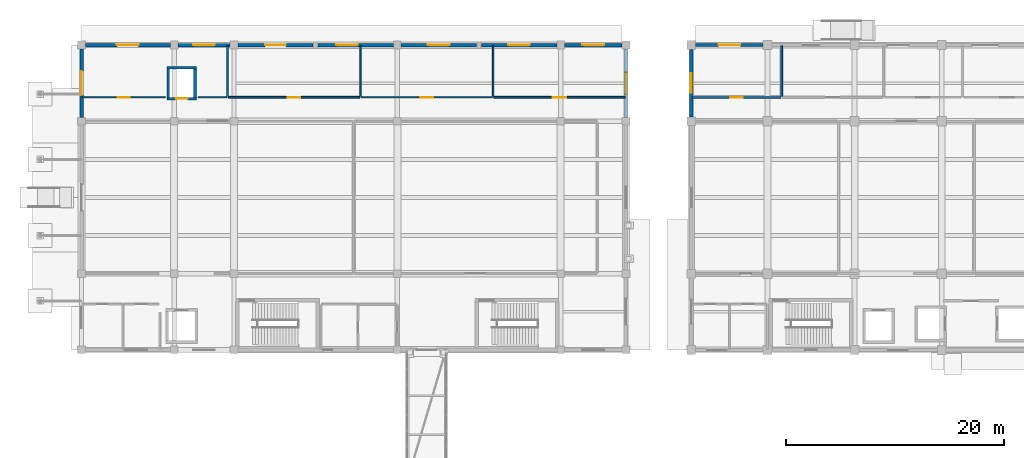
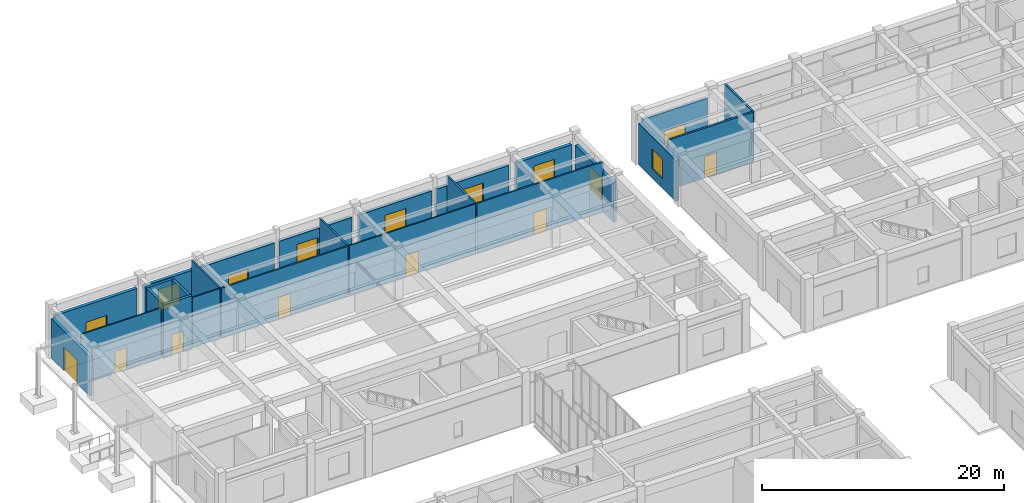
# One storey, part 25 of 40: 25 walls, 10 doors, 7 windows, 17 openings.
"""IFC4 building model written with IfcOpenShell, lengths in metres."""

from ifc_helpers import new_model, si_unit, direction, frame, frame_2d, origin, place, context, subcontext, project, spatial, rectangle, extrude, material, layer, layer_set, type_object, element, fill, save


model = new_model("IFC4")

# Units and contexts
model_context = context("Model", 3, precision=1e-05, world=origin(), true_north=direction((0.0, 1.0)))
body_context = subcontext(model_context, "Body", "Model", "MODEL_VIEW")
ifc_project = project(units=[si_unit("LENGTHUNIT", "METRE"), si_unit("AREAUNIT", "SQUARE_METRE"), si_unit("VOLUMEUNIT", "CUBIC_METRE"), si_unit("PLANEANGLEUNIT", "RADIAN"), si_unit("MASSUNIT", "GRAM", prefix="KILO")], contexts=[model_context])

# Site, building, storey
site_placement = place(None, origin())
site = spatial("IfcSite", under=ifc_project, at=site_placement, CompositionType="ELEMENT")
building_placement = place(site_placement, origin())
building = spatial("IfcBuilding", under=site, at=building_placement, Name="Naurynzar Civic Courthouse", CompositionType="ELEMENT")
storey_placement = place(building_placement, origin())
storey = spatial("IfcBuildingStorey", under=building, at=storey_placement, Name="L01", CompositionType="ELEMENT", Elevation=0.0)

# Wall, opening, window
ifc_material_1 = material(Name="Precast concrete C40/50", Category="concrete")
ifc_layer_1 = layer(ifc_material_1, 0.300048828125)
ifc_layer_set_1 = layer_set([ifc_layer_1], Name="WL-EXT-300")
wall_type_1 = type_object("IfcWallType", Name="WL-EXT-300", PredefinedType="SOLIDWALL", material=ifc_layer_set_1)
wall_1_placement = place(storey_placement, frame((62.0, 65.39990234375, 0.0), z_axis=(0.0, 0.0, 1.0), x_axis=(0.0, 1.0, 0.0)))
wall_1 = element("IfcWall", 1, at=wall_1_placement, inside=storey, type_object=wall_type_1, Name="V2 exterior wall west L01.3.1", PredefinedType="SOLIDWALL", context=body_context, shape_type="SweptSolid", body=[
    extrude(rectangle(XDim=6.2001953125, YDim=0.300048828125, at=frame_2d((3.10009765625, 0.0))), origin(), (0.0, 0.0, 1.0), 4.1298828125),
])
opening_1_placement = place(wall_1_placement, frame((2.199951171875, 0.0, 0.89990234375)))
opening_1 = element("IfcOpeningElement", 2, at=opening_1_placement, cuts=wall_1, Name="Opening WN-03", PredefinedType="OPENING", context=body_context, shape_type="SweptSolid", body=[
    extrude(rectangle(XDim=1.800048828125, YDim=2.0, at=frame_2d((0.89990234375, 1.0))), frame((0.0, 0.159912109375, 0.0), z_axis=(0.0, -1.0, 0.0), x_axis=(1.0, 0.0, 0.0)), (0.0, 0.0, 1.0), 0.320068359375),
])
ifc_material_2 = material(Name="Tempered Laminated Low-E Glass", Category="glass")
window_type_1 = type_object("IfcWindowType", Name="WIN-COURT-1800x2000", PartitioningType="DOUBLE_PANEL_VERTICAL", PredefinedType="WINDOW", material=ifc_material_2)
window_1_placement = place(opening_1_placement, origin())
window_1 = element("IfcWindow", 3, at=window_1_placement, inside=storey, type_object=window_type_1, Name="V2 window 40 L01", OverallHeight=2.0, OverallWidth=1.800048828125, PartitioningType="SINGLE_PANEL", PredefinedType="WINDOW", context=body_context, shape_type="SweptSolid", body=[
    extrude(rectangle(XDim=1.800048828125, YDim=2.0, at=frame_2d((0.89990234375, 1.0))), frame((0.0, 0.030029296875, 0.0), z_axis=(0.0, -1.0, 0.0), x_axis=(1.0, 0.0, 0.0)), (0.0, 0.0, 1.0), 0.06005859375),
])
fill(opening_1, window_1)

# Wall, opening, door
wall_2_placement = place(storey_placement, frame((62.39990234375, 72.0, 0.0), z_axis=(0.0, 0.0, 1.0), x_axis=(1.0, 0.0, 0.0)))
wall_2 = element("IfcWall", 4, at=wall_2_placement, inside=storey, type_object=wall_type_1, Name="V2 exterior wall north L01.1.1", PredefinedType="SOLIDWALL", context=body_context, shape_type="SweptSolid", body=[
    extrude(rectangle(XDim=6.2001953125, YDim=0.300048828125, at=frame_2d((3.10009765625, 0.0))), origin(), (0.0, 0.0, 1.0), 4.1298828125),
])
opening_2_placement = place(wall_2_placement, frame((2.10009765625, 0.0, 0.0)))
opening_2 = element("IfcOpeningElement", 5, at=opening_2_placement, cuts=wall_2, Name="Opening ED-07", PredefinedType="OPENING", context=body_context, shape_type="SweptSolid", body=[
    extrude(rectangle(XDim=2.0, YDim=2.300048828125, at=frame_2d((1.0, 1.14990234375))), frame((0.0, 0.159912109375, 0.0), z_axis=(0.0, -1.0, 0.0), x_axis=(1.0, 0.0, 0.0)), (0.0, 0.0, 1.0), 0.320068359375),
])
ifc_material_3 = material(Name="Aluminium 6063-T6", Category="aluminium")
door_type_1 = type_object("IfcDoorType", Name="DR-EXT-2000x2300", OperationType="DOUBLE_DOOR_SINGLE_SWING", PredefinedType="DOOR", material=ifc_material_3)
door_1_placement = place(opening_2_placement, origin())
door_1 = element("IfcDoor", 6, at=door_1_placement, inside=storey, type_object=door_type_1, Name="Ground final exit door ED-07", OperationType="DOUBLE_DOOR_SINGLE_SWING", OverallHeight=2.300048828125, OverallWidth=2.0, PredefinedType="DOOR", context=body_context, shape_type="SweptSolid", body=[
    extrude(rectangle(XDim=2.0, YDim=2.300048828125, at=frame_2d((1.0, 1.14990234375))), frame((0.0, 0.02490234375, 0.0), z_axis=(0.0, -1.0, 0.0), x_axis=(1.0, 0.0, 0.0)), (0.0, 0.0, 1.0), 0.050048828125),
])
fill(opening_2, door_1)

ifc_material_4 = material(Name="Precast concrete C40/50", Category="concrete")
ifc_layer_2 = layer(ifc_material_4, 0.320068359375)
ifc_layer_set_2 = layer_set([ifc_layer_2], Name="WL-EXT-320")
wall_type_2 = type_object("IfcWallType", Name="WL-EXT-320", PredefinedType="SOLIDWALL", material=ifc_layer_set_2)
wall_3_placement = place(storey_placement, frame((6.0, 65.35009765625, 0.0), z_axis=(0.0, 0.0, 1.0), x_axis=(0.0, 1.0, 0.0)))
wall_3 = element("IfcWall", 7, at=wall_3_placement, inside=storey, type_object=wall_type_2, Name="V1 exterior wall west L01.3.1", PredefinedType="SOLIDWALL", context=body_context, shape_type="SweptSolid", body=[
    extrude(rectangle(XDim=6.2998046875, YDim=0.320068359375, at=frame_2d((3.14990234375, 0.0))), origin(), (0.0, 0.0, 1.0), 4.010009765625),
])
opening_3_placement = place(wall_3_placement, frame((2.050048828125, 0.0, 0.0)))
opening_3 = element("IfcOpeningElement", 8, at=opening_3_placement, cuts=wall_3, Name="Opening ED-02", PredefinedType="OPENING", context=body_context, shape_type="SweptSolid", body=[
    extrude(rectangle(XDim=2.199951171875, YDim=2.39990234375, at=frame_2d((1.10009765625, 1.199951171875))), frame((0.0, 0.169921875, 0.0), z_axis=(0.0, -1.0, 0.0), x_axis=(1.0, 0.0, 0.0)), (0.0, 0.0, 1.0), 0.340087890625),
])
ifc_material_5 = material(Name="Aluminium 6063-T6", Category="aluminium")
door_type_2 = type_object("IfcDoorType", Name="DR-EXT-2200x2400", OperationType="DOUBLE_DOOR_SINGLE_SWING", PredefinedType="DOOR", material=ifc_material_5)
door_2_placement = place(opening_3_placement, origin())
door_2 = element("IfcDoor", 9, at=door_2_placement, inside=storey, type_object=door_type_2, Name="Ground final exit door ED-02", OperationType="DOUBLE_DOOR_SINGLE_SWING", OverallHeight=2.39990234375, OverallWidth=2.199951171875, PredefinedType="DOOR", context=body_context, shape_type="SweptSolid", body=[
    extrude(rectangle(XDim=2.199951171875, YDim=2.39990234375, at=frame_2d((1.10009765625, 1.199951171875))), frame((0.0, 0.02490234375, 0.0), z_axis=(0.0, -1.0, 0.0), x_axis=(1.0, 0.0, 0.0)), (0.0, 0.0, 1.0), 0.050048828125),
])
fill(opening_3, door_2)

wall_4_placement = place(storey_placement, frame((6.35009765625, 72.0, 0.0), z_axis=(0.0, 0.0, 1.0), x_axis=(1.0, 0.0, 0.0)))
wall_4 = element("IfcWall", 10, at=wall_4_placement, inside=storey, type_object=wall_type_2, Name="V1 exterior wall north L01.1.1", PredefinedType="SOLIDWALL", context=body_context, shape_type="SweptSolid", body=[
    extrude(rectangle(XDim=7.7998046875, YDim=0.320068359375, at=frame_2d((3.89990234375, 0.0))), origin(), (0.0, 0.0, 1.0), 4.010009765625),
])
opening_4_placement = place(wall_4_placement, frame((2.89990234375, 0.0, 0.0)))
opening_4 = element("IfcOpeningElement", 11, at=opening_4_placement, cuts=wall_4, Name="Opening ED-03", PredefinedType="OPENING", context=body_context, shape_type="SweptSolid", body=[
    extrude(rectangle(XDim=2.0, YDim=2.300048828125, at=frame_2d((1.0, 1.14990234375))), frame((0.0, 0.169921875, 0.0), z_axis=(0.0, -1.0, 0.0), x_axis=(1.0, 0.0, 0.0)), (0.0, 0.0, 1.0), 0.340087890625),
])
door_3_placement = place(opening_4_placement, origin())
door_3 = element("IfcDoor", 12, at=door_3_placement, inside=storey, type_object=door_type_1, Name="Ground final exit door ED-03", OperationType="DOUBLE_DOOR_SINGLE_SWING", OverallHeight=2.300048828125, OverallWidth=2.0, PredefinedType="DOOR", context=body_context, shape_type="SweptSolid", body=[
    extrude(rectangle(XDim=2.0, YDim=2.300048828125, at=frame_2d((1.0, 1.14990234375))), frame((0.0, 0.02490234375, 0.0), z_axis=(0.0, -1.0, 0.0), x_axis=(1.0, 0.0, 0.0)), (0.0, 0.0, 1.0), 0.050048828125),
])
fill(opening_4, door_3)

# Wall, opening, window
wall_5_placement = place(storey_placement, frame((14.85009765625, 72.0, 0.0), z_axis=(0.0, 0.0, 1.0), x_axis=(1.0, 0.0, 0.0)))
wall_5 = element("IfcWall", 13, at=wall_5_placement, inside=storey, type_object=wall_type_2, Name="V1 exterior wall north L01.2.1", PredefinedType="SOLIDWALL", context=body_context, shape_type="SweptSolid", body=[
    extrude(rectangle(XDim=4.7998046875, YDim=0.320068359375, at=frame_2d((2.39990234375, 0.0))), origin(), (0.0, 0.0, 1.0), 4.010009765625),
])
opening_5_placement = place(wall_5_placement, frame((1.39990234375, 0.0, 0.89990234375)))
opening_5 = element("IfcOpeningElement", 14, at=opening_5_placement, cuts=wall_5, Name="Opening WN-13", PredefinedType="OPENING", context=body_context, shape_type="SweptSolid", body=[
    extrude(rectangle(XDim=2.0, YDim=2.199951171875, at=frame_2d((1.0, 1.10009765625))), frame((0.0, 0.169921875, 0.0), z_axis=(0.0, -1.0, 0.0), x_axis=(1.0, 0.0, 0.0)), (0.0, 0.0, 1.0), 0.340087890625),
])
ifc_material_6 = material(Name="Tempered Laminated Low-E Glass", Category="glass")
window_type_2 = type_object("IfcWindowType", Name="WIN-REG-2000x2200", PartitioningType="DOUBLE_PANEL_VERTICAL", PredefinedType="WINDOW", material=ifc_material_6)
window_2_placement = place(opening_5_placement, origin())
window_2 = element("IfcWindow", 15, at=window_2_placement, inside=storey, type_object=window_type_2, Name="V1 window 2 L01", OverallHeight=2.199951171875, OverallWidth=2.0, PartitioningType="SINGLE_PANEL", PredefinedType="WINDOW", context=body_context, shape_type="SweptSolid", body=[
    extrude(rectangle(XDim=2.0, YDim=2.199951171875, at=frame_2d((1.0, 1.10009765625))), frame((0.0, 0.030029296875, 0.0), z_axis=(0.0, -1.0, 0.0), x_axis=(1.0, 0.0, 0.0)), (0.0, 0.0, 1.0), 0.06005859375),
])
fill(opening_5, window_2)

# Wall, opening, door
wall_6_placement = place(storey_placement, frame((20.35009765625, 72.0, 0.0), z_axis=(0.0, 0.0, 1.0), x_axis=(1.0, 0.0, 0.0)))
wall_6 = element("IfcWall", 16, at=wall_6_placement, inside=storey, type_object=wall_type_2, Name="V1 exterior wall north L01.3.1", PredefinedType="SOLIDWALL", context=body_context, shape_type="SweptSolid", body=[
    extrude(rectangle(XDim=6.929931640625, YDim=0.320068359375, at=frame_2d((3.46484375, 0.0))), origin(), (0.0, 0.0, 1.0), 4.010009765625),
])
opening_6_placement = place(wall_6_placement, frame((2.514892578125, 0.0, 0.0)))
opening_6 = element("IfcOpeningElement", 17, at=opening_6_placement, cuts=wall_6, Name="Opening ED-04", PredefinedType="OPENING", context=body_context, shape_type="SweptSolid", body=[
    extrude(rectangle(XDim=1.89990234375, YDim=2.25, at=frame_2d((0.949951171875, 1.125))), frame((0.0, 0.169921875, 0.0), z_axis=(0.0, -1.0, 0.0), x_axis=(1.0, 0.0, 0.0)), (0.0, 0.0, 1.0), 0.340087890625),
])
ifc_material_7 = material(Name="Aluminium 6063-T6", Category="aluminium")
door_type_3 = type_object("IfcDoorType", Name="DR-EXT-1900x2250", OperationType="DOUBLE_DOOR_SINGLE_SWING", PredefinedType="DOOR", material=ifc_material_7)
door_4_placement = place(opening_6_placement, origin())
door_4 = element("IfcDoor", 18, at=door_4_placement, inside=storey, type_object=door_type_3, Name="Ground final exit door ED-04", OperationType="DOUBLE_DOOR_SINGLE_SWING", OverallHeight=2.25, OverallWidth=1.89990234375, PredefinedType="DOOR", context=body_context, shape_type="SweptSolid", body=[
    extrude(rectangle(XDim=1.89990234375, YDim=2.25, at=frame_2d((0.949951171875, 1.125))), frame((0.0, 0.02490234375, 0.0), z_axis=(0.0, -1.0, 0.0), x_axis=(1.0, 0.0, 0.0)), (0.0, 0.0, 1.0), 0.050048828125),
])
fill(opening_6, door_4)

# Wall, opening, window
wall_7_placement = place(storey_placement, frame((27.719970703125, 72.0, 0.0), z_axis=(0.0, 0.0, 1.0), x_axis=(1.0, 0.0, 0.0)))
wall_7 = element("IfcWall", 19, at=wall_7_placement, inside=storey, type_object=wall_type_2, Name="V1 exterior wall north L01.3.2", PredefinedType="SOLIDWALL", context=body_context, shape_type="SweptSolid", body=[
    extrude(rectangle(XDim=6.929931640625, YDim=0.320068359375, at=frame_2d((3.46484375, 0.0))), origin(), (0.0, 0.0, 1.0), 4.010009765625),
])
opening_7_placement = place(wall_7_placement, frame((1.669921875, 0.0, 0.89990234375)))
opening_7 = element("IfcOpeningElement", 20, at=opening_7_placement, cuts=wall_7, Name="Opening WN-13", PredefinedType="OPENING", context=body_context, shape_type="SweptSolid", body=[
    extrude(rectangle(XDim=2.0, YDim=2.199951171875, at=frame_2d((1.0, 1.10009765625))), frame((0.0, 0.169921875, 0.0), z_axis=(0.0, -1.0, 0.0), x_axis=(1.0, 0.0, 0.0)), (0.0, 0.0, 1.0), 0.340087890625),
])
window_3_placement = place(opening_7_placement, origin())
window_3 = element("IfcWindow", 21, at=window_3_placement, inside=storey, type_object=window_type_2, Name="V1 window 3 L01", OverallHeight=2.199951171875, OverallWidth=2.0, PartitioningType="SINGLE_PANEL", PredefinedType="WINDOW", context=body_context, shape_type="SweptSolid", body=[
    extrude(rectangle(XDim=2.0, YDim=2.199951171875, at=frame_2d((1.0, 1.10009765625))), frame((0.0, 0.030029296875, 0.0), z_axis=(0.0, -1.0, 0.0), x_axis=(1.0, 0.0, 0.0)), (0.0, 0.0, 1.0), 0.06005859375),
])
fill(opening_7, window_3)

wall_8_placement = place(storey_placement, frame((35.35009765625, 72.0, 0.0), z_axis=(0.0, 0.0, 1.0), x_axis=(1.0, 0.0, 0.0)))
wall_8 = element("IfcWall", 22, at=wall_8_placement, inside=storey, type_object=wall_type_2, Name="V1 exterior wall north L01.4.1", PredefinedType="SOLIDWALL", context=body_context, shape_type="SweptSolid", body=[
    extrude(rectangle(XDim=6.929931640625, YDim=0.320068359375, at=frame_2d((3.46484375, 0.0))), origin(), (0.0, 0.0, 1.0), 4.010009765625),
])
opening_8_placement = place(wall_8_placement, frame((2.465087890625, 0.0, 0.89990234375)))
opening_8 = element("IfcOpeningElement", 23, at=opening_8_placement, cuts=wall_8, Name="Opening WN-13", PredefinedType="OPENING", context=body_context, shape_type="SweptSolid", body=[
    extrude(rectangle(XDim=2.0, YDim=2.199951171875, at=frame_2d((1.0, 1.10009765625))), frame((0.0, 0.169921875, 0.0), z_axis=(0.0, -1.0, 0.0), x_axis=(1.0, 0.0, 0.0)), (0.0, 0.0, 1.0), 0.340087890625),
])
window_4_placement = place(opening_8_placement, origin())
window_4 = element("IfcWindow", 24, at=window_4_placement, inside=storey, type_object=window_type_2, Name="V1 window 4 L01", OverallHeight=2.199951171875, OverallWidth=2.0, PartitioningType="SINGLE_PANEL", PredefinedType="WINDOW", context=body_context, shape_type="SweptSolid", body=[
    extrude(rectangle(XDim=2.0, YDim=2.199951171875, at=frame_2d((1.0, 1.10009765625))), frame((0.0, 0.030029296875, 0.0), z_axis=(0.0, -1.0, 0.0), x_axis=(1.0, 0.0, 0.0)), (0.0, 0.0, 1.0), 0.06005859375),
])
fill(opening_8, window_4)

wall_9_placement = place(storey_placement, frame((42.719970703125, 72.0, 0.0), z_axis=(0.0, 0.0, 1.0), x_axis=(1.0, 0.0, 0.0)))
wall_9 = element("IfcWall", 25, at=wall_9_placement, inside=storey, type_object=wall_type_2, Name="V1 exterior wall north L01.4.2", PredefinedType="SOLIDWALL", context=body_context, shape_type="SweptSolid", body=[
    extrude(rectangle(XDim=6.929931640625, YDim=0.320068359375, at=frame_2d((3.46484375, 0.0))), origin(), (0.0, 0.0, 1.0), 4.010009765625),
])
opening_9_placement = place(wall_9_placement, frame((2.465087890625, 0.0, 0.89990234375)))
opening_9 = element("IfcOpeningElement", 26, at=opening_9_placement, cuts=wall_9, Name="Opening WN-13", PredefinedType="OPENING", context=body_context, shape_type="SweptSolid", body=[
    extrude(rectangle(XDim=2.0, YDim=2.199951171875, at=frame_2d((1.0, 1.10009765625))), frame((0.0, 0.169921875, 0.0), z_axis=(0.0, -1.0, 0.0), x_axis=(1.0, 0.0, 0.0)), (0.0, 0.0, 1.0), 0.340087890625),
])
window_5_placement = place(opening_9_placement, origin())
window_5 = element("IfcWindow", 27, at=window_5_placement, inside=storey, type_object=window_type_2, Name="V1 window 5 L01", OverallHeight=2.199951171875, OverallWidth=2.0, PartitioningType="SINGLE_PANEL", PredefinedType="WINDOW", context=body_context, shape_type="SweptSolid", body=[
    extrude(rectangle(XDim=2.0, YDim=2.199951171875, at=frame_2d((1.0, 1.10009765625))), frame((0.0, 0.030029296875, 0.0), z_axis=(0.0, -1.0, 0.0), x_axis=(1.0, 0.0, 0.0)), (0.0, 0.0, 1.0), 0.06005859375),
])
fill(opening_9, window_5)

wall_10_placement = place(storey_placement, frame((50.35009765625, 72.0, 0.0), z_axis=(0.0, 0.0, 1.0), x_axis=(1.0, 0.0, 0.0)))
wall_10 = element("IfcWall", 28, at=wall_10_placement, inside=storey, type_object=wall_type_2, Name="V1 exterior wall north L01.5.1", PredefinedType="SOLIDWALL", context=body_context, shape_type="SweptSolid", body=[
    extrude(rectangle(XDim=5.2998046875, YDim=0.320068359375, at=frame_2d((2.64990234375, 0.0))), origin(), (0.0, 0.0, 1.0), 4.010009765625),
])
opening_10_placement = place(wall_10_placement, frame((1.64990234375, 0.0, 0.89990234375)))
opening_10 = element("IfcOpeningElement", 29, at=opening_10_placement, cuts=wall_10, Name="Opening WN-13", PredefinedType="OPENING", context=body_context, shape_type="SweptSolid", body=[
    extrude(rectangle(XDim=2.0, YDim=2.199951171875, at=frame_2d((1.0, 1.10009765625))), frame((0.0, 0.169921875, 0.0), z_axis=(0.0, -1.0, 0.0), x_axis=(1.0, 0.0, 0.0)), (0.0, 0.0, 1.0), 0.340087890625),
])
window_6_placement = place(opening_10_placement, origin())
window_6 = element("IfcWindow", 30, at=window_6_placement, inside=storey, type_object=window_type_2, Name="V1 window 6 L01", OverallHeight=2.199951171875, OverallWidth=2.0, PartitioningType="SINGLE_PANEL", PredefinedType="WINDOW", context=body_context, shape_type="SweptSolid", body=[
    extrude(rectangle(XDim=2.0, YDim=2.199951171875, at=frame_2d((1.0, 1.10009765625))), frame((0.0, 0.030029296875, 0.0), z_axis=(0.0, -1.0, 0.0), x_axis=(1.0, 0.0, 0.0)), (0.0, 0.0, 1.0), 0.06005859375),
])
fill(opening_10, window_6)

wall_11_placement = place(storey_placement, frame((56.0, 71.64990234375, 0.0), z_axis=(0.0, 0.0, 1.0), x_axis=(0.0, -1.0, 0.0)))
wall_11 = element("IfcWall", 31, at=wall_11_placement, inside=storey, type_object=wall_type_2, Name="V1 exterior wall east L01.1.1", PredefinedType="SOLIDWALL", context=body_context, shape_type="SweptSolid", body=[
    extrude(rectangle(XDim=6.2998046875, YDim=0.320068359375, at=frame_2d((3.14990234375, 0.0))), origin(), (0.0, 0.0, 1.0), 4.010009765625),
])
opening_11_placement = place(wall_11_placement, frame((2.14990234375, 0.0, 0.89990234375)))
opening_11 = element("IfcOpeningElement", 32, at=opening_11_placement, cuts=wall_11, Name="Opening WN-13", PredefinedType="OPENING", context=body_context, shape_type="SweptSolid", body=[
    extrude(rectangle(XDim=2.0, YDim=2.199951171875, at=frame_2d((1.0, 1.10009765625))), frame((0.0, 0.169921875, 0.0), z_axis=(0.0, -1.0, 0.0), x_axis=(1.0, 0.0, 0.0)), (0.0, 0.0, 1.0), 0.340087890625),
])
window_7_placement = place(opening_11_placement, origin())
window_7 = element("IfcWindow", 33, at=window_7_placement, inside=storey, type_object=window_type_2, Name="V1 window 7 L01", OverallHeight=2.199951171875, OverallWidth=2.0, PartitioningType="SINGLE_PANEL", PredefinedType="WINDOW", context=body_context, shape_type="SweptSolid", body=[
    extrude(rectangle(XDim=2.0, YDim=2.199951171875, at=frame_2d((1.0, 1.10009765625))), frame((0.0, 0.030029296875, 0.0), z_axis=(0.0, -1.0, 0.0), x_axis=(1.0, 0.0, 0.0)), (0.0, 0.0, 1.0), 0.06005859375),
])
fill(opening_11, window_7)

# Wall, opening, door
ifc_material_8 = material(Name="Fire-Rated Corridor Gypsum Partition")
ifc_layer_3 = layer(ifc_material_8, 0.14990234375)
ifc_layer_set_3 = layer_set([ifc_layer_3], Name="WL-PART-CORR-150")
wall_type_3 = type_object("IfcWallType", Name="WL-PART-CORR-150", PredefinedType="PARTITIONING", material=ifc_layer_set_3)
wall_12_placement = place(storey_placement, frame((19.489990234375, 67.199951171875, 0.0), z_axis=(0.0, 0.0, 1.0), x_axis=(1.0, 0.0, 0.0)))
wall_12 = element("IfcWall", 34, at=wall_12_placement, inside=storey, type_object=wall_type_3, Name="V1 interior partition L01.124", PredefinedType="PARTITIONING", context=body_context, shape_type="SweptSolid", body=[
    extrude(rectangle(XDim=12.0400390625, YDim=0.14990234375, at=frame_2d((6.02001953125, 0.0))), origin(), (0.0, 0.0, 1.0), 5.0400390625),
])
opening_12_placement = place(wall_12_placement, frame((5.449951171875, 0.0, 0.0)))
opening_12 = element("IfcOpeningElement", 35, at=opening_12_placement, cuts=wall_12, Name="Opening D-015", PredefinedType="OPENING", context=body_context, shape_type="SweptSolid", body=[
    extrude(rectangle(XDim=1.139892578125, YDim=2.199951171875, at=frame_2d((0.56982421875, 1.10009765625))), frame((0.0, 0.0849609375, 0.0), z_axis=(0.0, -1.0, 0.0), x_axis=(1.0, 0.0, 0.0)), (0.0, 0.0, 1.0), 0.169921875),
])
ifc_material_9 = material(Name="Acoustic Oak Timber Grade A", Category="wood")
door_type_4 = type_object("IfcDoorType", Name="DR-SUITE-1140x2200", OperationType="NOTDEFINED", PredefinedType="DOOR", material=ifc_material_9)
door_5_placement = place(opening_12_placement, origin())
door_5 = element("IfcDoor", 36, at=door_5_placement, inside=storey, type_object=door_type_4, Name="Interior door D-015 (Media Broadcast Studio)", OperationType="SINGLE_SWING_LEFT", OverallHeight=2.199951171875, OverallWidth=1.139892578125, PredefinedType="DOOR", context=body_context, shape_type="SweptSolid", body=[
    extrude(rectangle(XDim=1.139892578125, YDim=2.199951171875, at=frame_2d((0.56982421875, 1.10009765625))), frame((0.0, 0.02490234375, 0.0), z_axis=(0.0, -1.0, 0.0), x_axis=(1.0, 0.0, 0.0)), (0.0, 0.0, 1.0), 0.050048828125),
])
fill(opening_12, door_5)

wall_13_placement = place(storey_placement, frame((43.8798828125, 67.199951171875, 0.0), z_axis=(0.0, 0.0, 1.0), x_axis=(1.0, 0.0, 0.0)))
wall_13 = element("IfcWall", 37, at=wall_13_placement, inside=storey, type_object=wall_type_3, Name="V1 interior partition L01.126", PredefinedType="PARTITIONING", context=body_context, shape_type="SweptSolid", body=[
    extrude(rectangle(XDim=12.0400390625, YDim=0.14990234375, at=frame_2d((6.02001953125, 0.0))), origin(), (0.0, 0.0, 1.0), 5.0400390625),
])
opening_13_placement = place(wall_13_placement, frame((5.409912109375, 0.0, 0.0)))
opening_13 = element("IfcOpeningElement", 38, at=opening_13_placement, cuts=wall_13, Name="Opening D-017", PredefinedType="OPENING", context=body_context, shape_type="SweptSolid", body=[
    extrude(rectangle(XDim=1.219970703125, YDim=2.199951171875, at=frame_2d((0.60986328125, 1.10009765625))), frame((0.0, 0.0849609375, 0.0), z_axis=(0.0, -1.0, 0.0), x_axis=(1.0, 0.0, 0.0)), (0.0, 0.0, 1.0), 0.169921875),
])
ifc_material_10 = material(Name="Acoustic Oak Timber Grade A", Category="wood")
door_type_5 = type_object("IfcDoorType", Name="DR-SUITE-1220x2200", OperationType="NOTDEFINED", PredefinedType="DOOR", material=ifc_material_10)
door_6_placement = place(opening_13_placement, origin())
door_6 = element("IfcDoor", 39, at=door_6_placement, inside=storey, type_object=door_type_5, Name="Interior door D-017 (Witness Reception Room)", OperationType="SINGLE_SWING_LEFT", OverallHeight=2.199951171875, OverallWidth=1.219970703125, PredefinedType="DOOR", context=body_context, shape_type="SweptSolid", body=[
    extrude(rectangle(XDim=1.219970703125, YDim=2.199951171875, at=frame_2d((0.60986328125, 1.10009765625))), frame((0.0, 0.02490234375, 0.0), z_axis=(0.0, -1.0, 0.0), x_axis=(1.0, 0.0, 0.0)), (0.0, 0.0, 1.0), 0.050048828125),
])
fill(opening_13, door_6)

# Walls
for number, where, z_axis, x_axis, name in (
    (40, (19.409912109375, 67.280029296875, 0.0), (0.0, 0.0, 1.0), (0.0, 1.0, 0.0), "V1 interior partition L01.136"),
    (41, (31.610107421875, 67.280029296875, 0.0), (0.0, 0.0, 1.0), (0.0, 1.0, 0.0), "V1 interior partition L01.145"),
    (42, (43.800048828125, 67.280029296875, 0.0), (0.0, 0.0, 1.0), (0.0, 1.0, 0.0), "V1 interior partition L01.147"),
):
    element("IfcWall", number, at=place(storey_placement, frame(where, z_axis=z_axis, x_axis=x_axis)), inside=storey, type_object=wall_type_3, Name=name, PredefinedType="PARTITIONING", context=body_context, shape_type="SweptSolid", body=[
        extrude(rectangle(XDim=4.639892578125, YDim=0.14990234375, at=frame_2d((2.31982421875, 0.0))), origin(), (0.0, 0.0, 1.0), 5.0400390625),
    ])

# Wall, opening, door
ifc_material_11 = material(Name="Acoustic Double-Stud Gypsum Partition")
ifc_layer_4 = layer(ifc_material_11, 0.179931640625)
ifc_layer_set_4 = layer_set([ifc_layer_4], Name="WL-PART-JURY-180")
wall_type_4 = type_object("IfcWallType", Name="WL-PART-JURY-180", PredefinedType="PARTITIONING", material=ifc_layer_set_4)
wall_14_placement = place(storey_placement, frame((62.080078125, 67.199951171875, 0.0), z_axis=(0.0, 0.0, 1.0), x_axis=(1.0, 0.0, 0.0)))
wall_14 = element("IfcWall", 43, at=wall_14_placement, inside=storey, type_object=wall_type_4, Name="V2 interior partition L01.127", PredefinedType="PARTITIONING", context=body_context, shape_type="SweptSolid", body=[
    extrude(rectangle(XDim=8.139892578125, YDim=0.179931640625, at=frame_2d((4.06982421875, 0.0))), origin(), (0.0, 0.0, 1.0), 5.0400390625),
])
opening_14_placement = place(wall_14_placement, frame((3.4951171875, 0.0, 0.0)))
opening_14 = element("IfcOpeningElement", 44, at=opening_14_placement, cuts=wall_14, Name="Opening D-108", PredefinedType="OPENING", context=body_context, shape_type="SweptSolid", body=[
    extrude(rectangle(XDim=1.14990234375, YDim=2.199951171875, at=frame_2d((0.574951171875, 1.10009765625))), frame((0.0, 0.099853515625, 0.0), z_axis=(0.0, -1.0, 0.0), x_axis=(1.0, 0.0, 0.0)), (0.0, 0.0, 1.0), 0.199951171875),
])
ifc_material_12 = material(Name="Acoustic Oak Timber Grade A", Category="wood")
door_type_6 = type_object("IfcDoorType", Name="DR-JURY-1150x2200", OperationType="NOTDEFINED", PredefinedType="DOOR", material=ifc_material_12)
door_7_placement = place(opening_14_placement, origin())
door_7 = element("IfcDoor", 45, at=door_7_placement, inside=storey, type_object=door_type_6, Name="Interior door D-108 (Jury Room L01-N)", OperationType="SINGLE_SWING_RIGHT", OverallHeight=2.199951171875, OverallWidth=1.14990234375, PredefinedType="DOOR", context=body_context, shape_type="SweptSolid", body=[
    extrude(rectangle(XDim=1.14990234375, YDim=2.199951171875, at=frame_2d((0.574951171875, 1.10009765625))), frame((0.0, 0.02490234375, 0.0), z_axis=(0.0, -1.0, 0.0), x_axis=(1.0, 0.0, 0.0)), (0.0, 0.0, 1.0), 0.050048828125),
])
fill(opening_14, door_7)

# Wall
wall_15_placement = place(storey_placement, frame((70.300048828125, 67.280029296875, 0.0), z_axis=(0.0, 0.0, 1.0), x_axis=(0.0, 1.0, 0.0)))
element("IfcWall", 46, at=wall_15_placement, inside=storey, type_object=wall_type_4, Name="V2 interior partition L01.153", PredefinedType="PARTITIONING", context=body_context, shape_type="SweptSolid", body=[
    extrude(rectangle(XDim=4.639892578125, YDim=0.179931640625, at=frame_2d((2.31982421875, 0.0))), origin(), (0.0, 0.0, 1.0), 5.0400390625),
])

# Wall, opening, door
ifc_material_13 = material(Name="Metal-Stud Gypsum Partition")
ifc_layer_5 = layer(ifc_material_13, 0.125)
ifc_layer_set_5 = layer_set([ifc_layer_5], Name="WL-PART-STD-125")
wall_type_5 = type_object("IfcWallType", Name="WL-PART-STD-125", PredefinedType="PARTITIONING", material=ifc_layer_set_5)
wall_16_placement = place(storey_placement, frame((6.080078125, 67.199951171875, 0.0), z_axis=(0.0, 0.0, 1.0), x_axis=(1.0, 0.0, 0.0)))
wall_16 = element("IfcWall", 47, at=wall_16_placement, inside=storey, type_object=wall_type_5, Name="V1 interior partition L01.122", PredefinedType="PARTITIONING", context=body_context, shape_type="SweptSolid", body=[
    extrude(rectangle(XDim=7.619873046875, YDim=0.125, at=frame_2d((3.81005859375, 0.0))), origin(), (0.0, 0.0, 1.0), 5.0400390625),
])
opening_15_placement = place(wall_16_placement, frame((3.25, 0.0, 0.0)))
opening_15 = element("IfcOpeningElement", 48, at=opening_15_placement, cuts=wall_16, Name="Opening D-014", PredefinedType="OPENING", context=body_context, shape_type="SweptSolid", body=[
    extrude(rectangle(XDim=1.1201171875, YDim=2.199951171875, at=frame_2d((0.56005859375, 1.10009765625))), frame((0.0, 0.072509765625, 0.0), z_axis=(0.0, -1.0, 0.0), x_axis=(1.0, 0.0, 0.0)), (0.0, 0.0, 1.0), 0.14501953125),
])
ifc_material_14 = material(Name="Acoustic Oak Timber Grade A", Category="wood")
door_type_7 = type_object("IfcDoorType", Name="DR-SUITE-1120x2200", OperationType="NOTDEFINED", PredefinedType="DOOR", material=ifc_material_14)
door_8_placement = place(opening_15_placement, origin())
door_8 = element("IfcDoor", 49, at=door_8_placement, inside=storey, type_object=door_type_7, Name="Interior door D-014 (Jury Check-In Registry)", OperationType="SINGLE_SWING_RIGHT", OverallHeight=2.199951171875, OverallWidth=1.1201171875, PredefinedType="DOOR", context=body_context, shape_type="SweptSolid", body=[
    extrude(rectangle(XDim=1.1201171875, YDim=2.199951171875, at=frame_2d((0.56005859375, 1.10009765625))), frame((0.0, 0.02490234375, 0.0), z_axis=(0.0, -1.0, 0.0), x_axis=(1.0, 0.0, 0.0)), (0.0, 0.0, 1.0), 0.050048828125),
])
fill(opening_15, door_8)

# Wall
wall_17_placement = place(storey_placement, frame((16.699951171875, 67.199951171875, 0.0), z_axis=(0.0, 0.0, 1.0), x_axis=(1.0, 0.0, 0.0)))
element("IfcWall", 50, at=wall_17_placement, inside=storey, type_object=wall_type_5, Name="V1 interior partition L01.123", PredefinedType="PARTITIONING", context=body_context, shape_type="SweptSolid", body=[
    extrude(rectangle(XDim=2.630126953125, YDim=0.125, at=frame_2d((1.31494140625, 0.0))), origin(), (0.0, 0.0, 1.0), 5.0400390625),
])

# Wall, opening, door
wall_18_placement = place(storey_placement, frame((31.68994140625, 67.199951171875, 0.0), z_axis=(0.0, 0.0, 1.0), x_axis=(1.0, 0.0, 0.0)))
wall_18 = element("IfcWall", 51, at=wall_18_placement, inside=storey, type_object=wall_type_5, Name="V1 interior partition L01.125", PredefinedType="PARTITIONING", context=body_context, shape_type="SweptSolid", body=[
    extrude(rectangle(XDim=12.030029296875, YDim=0.125, at=frame_2d((6.01513671875, 0.0))), origin(), (0.0, 0.0, 1.0), 5.0400390625),
])
opening_16_placement = place(wall_18_placement, frame((5.425048828125, 0.0, 0.0)))
opening_16 = element("IfcOpeningElement", 52, at=opening_16_placement, cuts=wall_18, Name="Opening D-016", PredefinedType="OPENING", context=body_context, shape_type="SweptSolid", body=[
    extrude(rectangle(XDim=1.179931640625, YDim=2.199951171875, at=frame_2d((0.58984375, 1.10009765625))), frame((0.0, 0.072509765625, 0.0), z_axis=(0.0, -1.0, 0.0), x_axis=(1.0, 0.0, 0.0)), (0.0, 0.0, 1.0), 0.14501953125),
])
ifc_material_15 = material(Name="Acoustic Oak Timber Grade A", Category="wood")
door_type_8 = type_object("IfcDoorType", Name="DR-SUITE-1180x2200", OperationType="NOTDEFINED", PredefinedType="DOOR", material=ifc_material_15)
door_9_placement = place(opening_16_placement, origin())
door_9 = element("IfcDoor", 53, at=door_9_placement, inside=storey, type_object=door_type_8, Name="Interior door D-016 (Advocates' Robing Room)", OperationType="SINGLE_SWING_RIGHT", OverallHeight=2.199951171875, OverallWidth=1.179931640625, PredefinedType="DOOR", context=body_context, shape_type="SweptSolid", body=[
    extrude(rectangle(XDim=1.179931640625, YDim=2.199951171875, at=frame_2d((0.58984375, 1.10009765625))), frame((0.0, 0.02490234375, 0.0), z_axis=(0.0, -1.0, 0.0), x_axis=(1.0, 0.0, 0.0)), (0.0, 0.0, 1.0), 0.050048828125),
])
fill(opening_16, door_9)

ifc_material_16 = material(Name="Concrete C40/50", Category="concrete")
ifc_layer_6 = layer(ifc_material_16, 0.25)
ifc_layer_set_6 = layer_set([ifc_layer_6], Name="WL-SHAFT-250")
wall_type_6 = type_object("IfcWallType", Name="WL-SHAFT-250", PredefinedType="SHEAR", material=ifc_layer_set_6)
wall_19_placement = place(storey_placement, frame((13.85009765625, 67.074951171875, 0.0), z_axis=(0.0, 0.0, 1.0), x_axis=(1.0, 0.0, 0.0)))
wall_19 = element("IfcWall", 54, at=wall_19_placement, inside=storey, type_object=wall_type_6, Name="Lift LJ-01 shaft wall south L01", PredefinedType="SHEAR", context=body_context, shape_type="SweptSolid", body=[
    extrude(rectangle(XDim=2.699951171875, YDim=0.25, at=frame_2d((1.35009765625, 0.0))), origin(), (0.0, 0.0, 1.0), 5.39990234375),
])
opening_17_placement = place(wall_19_placement, frame((0.800048828125, 0.0, 0.0)))
opening_17 = element("IfcOpeningElement", 55, at=opening_17_placement, cuts=wall_19, Name="Opening LD-007", PredefinedType="OPENING", context=body_context, shape_type="SweptSolid", body=[
    extrude(rectangle(XDim=1.10009765625, YDim=2.14990234375, at=frame_2d((0.550048828125, 1.074951171875))), frame((0.0, 0.135009765625, 0.0), z_axis=(0.0, -1.0, 0.0), x_axis=(1.0, 0.0, 0.0)), (0.0, 0.0, 1.0), 0.27001953125),
])
ifc_material_17 = material(Name="Brushed Stainless Steel 304", Category="steel")
door_type_9 = type_object("IfcDoorType", Name="DR-LIFT-SLIDE-1100x2150", OperationType="DOUBLE_DOOR_SLIDING", PredefinedType="DOOR", material=ifc_material_17)
door_10_placement = place(opening_17_placement, origin())
door_10 = element("IfcDoor", 56, at=door_10_placement, inside=storey, type_object=door_type_9, Name="Lift LJ-01 sliding landing door L01", OperationType="DOUBLE_DOOR_SLIDING", OverallHeight=2.14990234375, OverallWidth=1.10009765625, PredefinedType="DOOR", context=body_context, shape_type="SweptSolid", body=[
    extrude(rectangle(XDim=1.10009765625, YDim=2.14990234375, at=frame_2d((0.550048828125, 1.074951171875))), frame((0.0, 0.02490234375, 0.0), z_axis=(0.0, -1.0, 0.0), x_axis=(1.0, 0.0, 0.0)), (0.0, 0.0, 1.0), 0.050048828125),
])
fill(opening_17, door_10)

# Walls
wall_20_placement = place(storey_placement, frame((16.550048828125, 69.925048828125, 0.0), z_axis=(0.0, 0.0, 1.0), x_axis=(-1.0, 0.0, 0.0)))
element("IfcWall", 57, at=wall_20_placement, inside=storey, type_object=wall_type_6, Name="Lift LJ-01 shaft wall north L01", PredefinedType="SHEAR", context=body_context, shape_type="SweptSolid", body=[
    extrude(rectangle(XDim=2.699951171875, YDim=0.25, at=frame_2d((1.35009765625, 0.0))), origin(), (0.0, 0.0, 1.0), 5.39990234375),
])
for number, where, z_axis, x_axis, name in (
    (58, (13.97509765625, 69.794921875, 0.0), (0.0, 0.0, 1.0), (0.0, -1.0, 0.0), "Lift LJ-01 shaft wall west L01"),
    (59, (16.425048828125, 67.205078125, 0.0), (0.0, 0.0, 1.0), (0.0, 1.0, 0.0), "Lift LJ-01 shaft wall east L01"),
):
    element("IfcWall", number, at=place(storey_placement, frame(where, z_axis=z_axis, x_axis=x_axis)), inside=storey, type_object=wall_type_6, Name=name, PredefinedType="SHEAR", context=body_context, shape_type="SweptSolid", body=[
        extrude(rectangle(XDim=2.58984375, YDim=0.25, at=frame_2d((1.294921875, 0.0))), origin(), (0.0, 0.0, 1.0), 5.39990234375),
    ])

save(model, "model.ifc")
